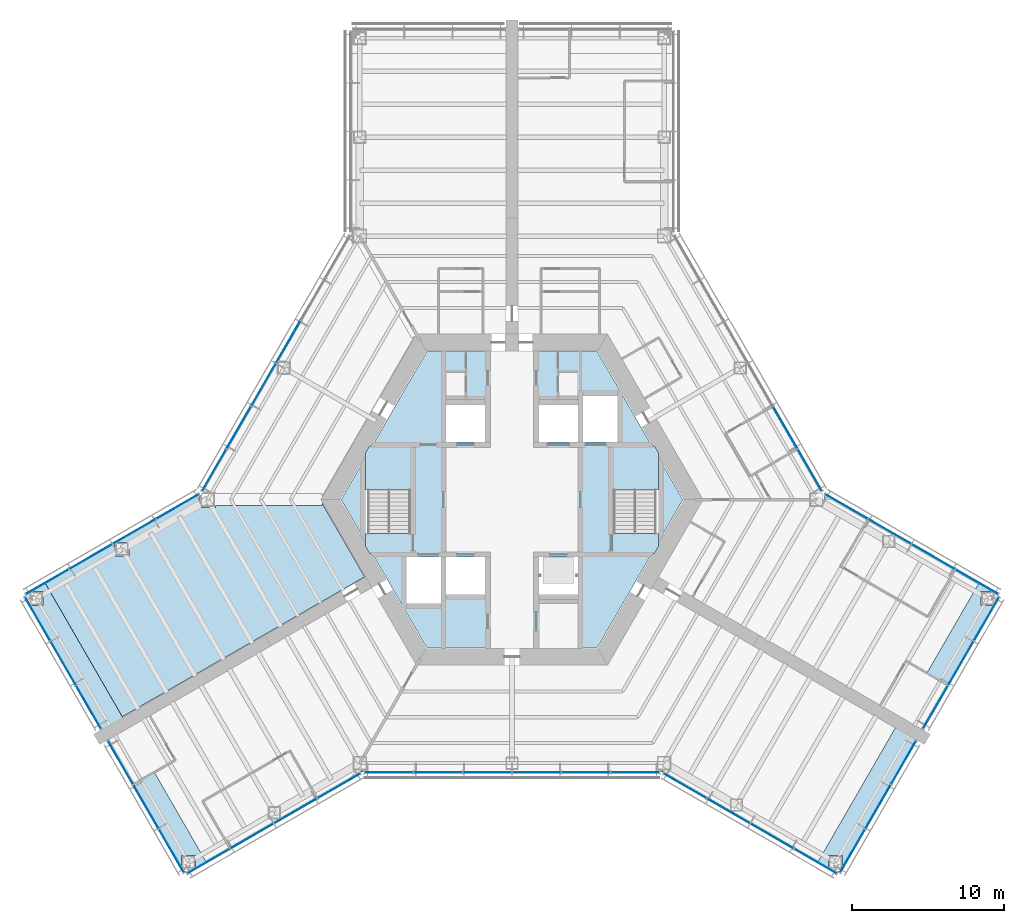
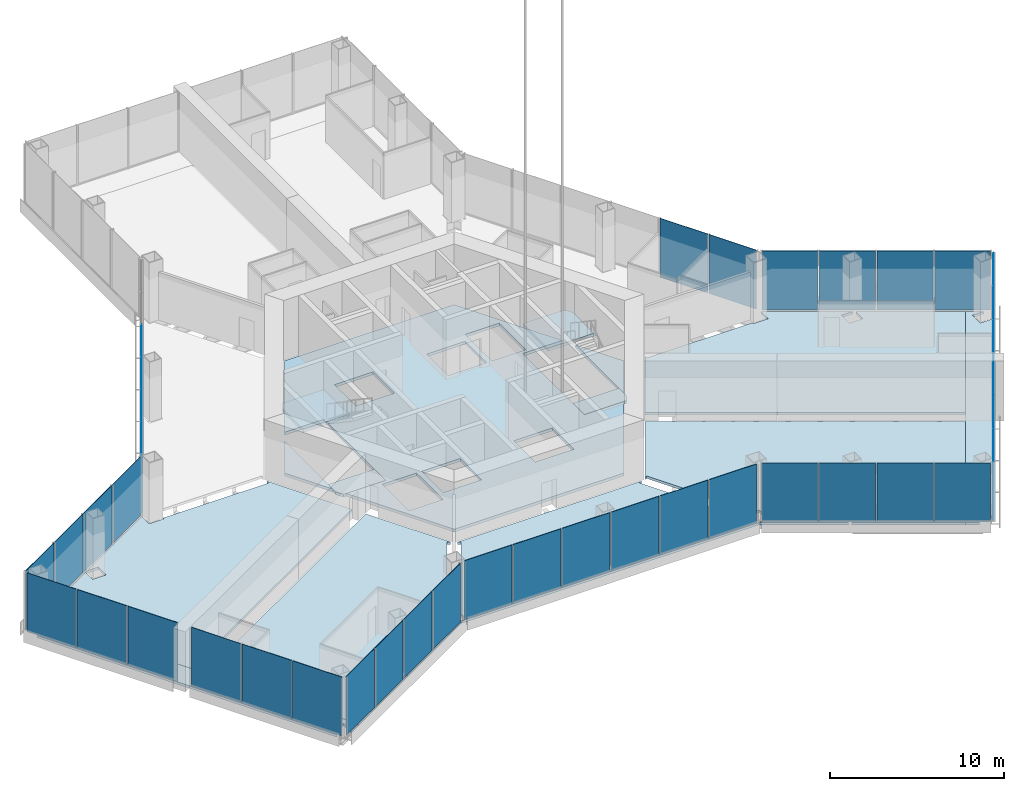
# One storey, part 9 of 18: 40 plates, 12 slabs, 13 elements without a shape of their own.
"""IFC4 building model written with IfcOpenShell, lengths in metres."""

from ifc_helpers import new_model, si_unit, direction, frame, origin, origin_2d, place, context, subcontext, project, spatial, polyline, rectangle, outline, extrude, material, layer, layer_set, type_object, element, aggregate, save


model = new_model("IFC4")

# Units and contexts
model_context = context("Model", 3, precision=1e-05, world=origin(), true_north=direction((0.0, 1.0)))
body_context = subcontext(model_context, "Body", "Model", "MODEL_VIEW")
ifc_project = project(units=[si_unit("LENGTHUNIT", "METRE"), si_unit("AREAUNIT", "SQUARE_METRE"), si_unit("VOLUMEUNIT", "CUBIC_METRE"), si_unit("PLANEANGLEUNIT", "RADIAN"), si_unit("MASSUNIT", "GRAM", prefix="KILO")], contexts=[model_context])

# Site, building, storey
site_placement = place(None, origin())
site = spatial("IfcSite", under=ifc_project, at=site_placement, CompositionType="ELEMENT")
building_placement = place(site_placement, origin())
building = spatial("IfcBuilding", under=site, at=building_placement, Name="Kasaneha Research Tower", CompositionType="ELEMENT")
storey_placement = place(building_placement, frame((0.0, 0.0, 57.0)))
storey = spatial("IfcBuildingStorey", under=building, at=storey_placement, Name="L14", CompositionType="ELEMENT", Elevation=57.0)

# Curtain wall, plates
ifc_material_1 = material(Name="Glass and aluminium", Category="aluminium")
curtain_wall_type = type_object("IfcCurtainWallType", Name="Sky lobby curtain wall", PredefinedType="USERDEFINED", material=ifc_material_1)
curtain_wall_1_placement = place(storey_placement, origin())
curtain_wall_1 = element("IfcCurtainWall", 1, at=curtain_wall_1_placement, inside=storey, type_object=curtain_wall_type, Name="CW-S L14 run 01a", ObjectType="UNITISED CURTAIN WALL", PredefinedType="USERDEFINED")
ifc_material_2 = material(Name="Laminated double glazing", Category="glass")
ifc_layer_1 = layer(ifc_material_2, 0.030029296875)
ifc_layer_set_1 = layer_set([ifc_layer_1], Name="CW-S glazed panel")
plate_type = type_object("IfcPlateType", Name="CW-S glazed panel", PredefinedType="CURTAIN_PANEL", material=ifc_layer_set_1)
plate_1_placement = place(storey_placement, frame((-19.943115234375, -23.75390625, 0.070068359375), z_axis=(0.0, 0.0, 1.0), x_axis=(0.866025411464, 0.499999986699, 0.0)))
plate_1 = element("IfcPlate", 2, at=plate_1_placement, type_object=plate_type, Name="CW-S panel 1", PredefinedType="CURTAIN_PANEL", context=body_context, shape_type="SweptSolid", body=[
    extrude(rectangle(XDim=3.204833984375, YDim=0.030029296875, at=origin_2d()), origin(), (0.0, 0.0, 1.0), 4.1298828125),
])
plate_2_placement = place(storey_placement, frame((-17.091796875, -22.107666015625, 0.070068359375), z_axis=(0.0, 0.0, 1.0), x_axis=(0.866025411464, 0.499999986699, 0.0)))
plate_2 = element("IfcPlate", 3, at=plate_2_placement, type_object=plate_type, Name="CW-S panel 2", PredefinedType="CURTAIN_PANEL", context=body_context, shape_type="SweptSolid", body=[
    extrude(rectangle(XDim=3.23974609375, YDim=0.030029296875, at=origin_2d()), origin(), (0.0, 0.0, 1.0), 4.1298828125),
])
plate_3_placement = place(storey_placement, frame((-14.225341796875, -20.452880859375, 0.070068359375), z_axis=(0.0, 0.0, 1.0), x_axis=(0.866025411464, 0.499999986699, 0.0)))
plate_3 = element("IfcPlate", 4, at=plate_3_placement, type_object=plate_type, Name="CW-S panel 3", PredefinedType="CURTAIN_PANEL", context=body_context, shape_type="SweptSolid", body=[
    extrude(rectangle(XDim=3.23974609375, YDim=0.030029296875, at=origin_2d()), origin(), (0.0, 0.0, 1.0), 4.1298828125),
])
plate_4_placement = place(storey_placement, frame((-11.374267578125, -18.806640625, 0.070068359375), z_axis=(0.0, 0.0, 1.0), x_axis=(0.866025411464, 0.499999986699, 0.0)))
plate_4 = element("IfcPlate", 5, at=plate_4_placement, type_object=plate_type, Name="CW-S panel 4", PredefinedType="CURTAIN_PANEL", context=body_context, shape_type="SweptSolid", body=[
    extrude(rectangle(XDim=3.204833984375, YDim=0.030029296875, at=origin_2d()), origin(), (0.0, 0.0, 1.0), 4.1298828125),
])
aggregate(curtain_wall_1, [plate_1, plate_2, plate_3, plate_4])

curtain_wall_2_placement = place(storey_placement, origin())
curtain_wall_2 = element("IfcCurtainWall", 6, at=curtain_wall_2_placement, inside=storey, type_object=curtain_wall_type, Name="CW-S L14 run 02a", ObjectType="UNITISED CURTAIN WALL", PredefinedType="USERDEFINED")
plate_5_placement = place(storey_placement, frame((-8.0986328125, -17.92041015625, 0.070068359375), z_axis=(0.0, 0.0, 1.0), x_axis=(1.0, 0.0, 0.0)))
plate_5 = element("IfcPlate", 7, at=plate_5_placement, type_object=plate_type, Name="CW-S panel 1", PredefinedType="CURTAIN_PANEL", context=body_context, shape_type="SweptSolid", body=[
    extrude(rectangle(XDim=3.141357421875, YDim=0.030029296875, at=origin_2d()), origin(), (0.0, 0.0, 1.0), 4.1298828125),
])
plate_6_placement = place(storey_placement, frame((-4.86962890625, -17.92041015625, 0.070068359375), z_axis=(0.0, 0.0, 1.0), x_axis=(1.0, 0.0, 0.0)))
plate_6 = element("IfcPlate", 8, at=plate_6_placement, type_object=plate_type, Name="CW-S panel 2", PredefinedType="CURTAIN_PANEL", context=body_context, shape_type="SweptSolid", body=[
    extrude(rectangle(XDim=3.176513671875, YDim=0.030029296875, at=origin_2d()), origin(), (0.0, 0.0, 1.0), 4.1298828125),
])
plate_7_placement = place(storey_placement, frame((-1.623291015625, -17.92041015625, 0.070068359375), z_axis=(0.0, 0.0, 1.0), x_axis=(1.0, 0.0, 0.0)))
plate_7 = element("IfcPlate", 9, at=plate_7_placement, type_object=plate_type, Name="CW-S panel 3", PredefinedType="CURTAIN_PANEL", context=body_context, shape_type="SweptSolid", body=[
    extrude(rectangle(XDim=3.176513671875, YDim=0.030029296875, at=origin_2d()), origin(), (0.0, 0.0, 1.0), 4.1298828125),
])
plate_8_placement = place(storey_placement, frame((1.623291015625, -17.92041015625, 0.070068359375), z_axis=(0.0, 0.0, 1.0), x_axis=(1.0, 0.0, 0.0)))
plate_8 = element("IfcPlate", 10, at=plate_8_placement, type_object=plate_type, Name="CW-S panel 4", PredefinedType="CURTAIN_PANEL", context=body_context, shape_type="SweptSolid", body=[
    extrude(rectangle(XDim=3.176513671875, YDim=0.030029296875, at=origin_2d()), origin(), (0.0, 0.0, 1.0), 4.1298828125),
])
plate_9_placement = place(storey_placement, frame((4.86962890625, -17.92041015625, 0.070068359375), z_axis=(0.0, 0.0, 1.0), x_axis=(1.0, 0.0, 0.0)))
plate_9 = element("IfcPlate", 11, at=plate_9_placement, type_object=plate_type, Name="CW-S panel 5", PredefinedType="CURTAIN_PANEL", context=body_context, shape_type="SweptSolid", body=[
    extrude(rectangle(XDim=3.176513671875, YDim=0.030029296875, at=origin_2d()), origin(), (0.0, 0.0, 1.0), 4.1298828125),
])
plate_10_placement = place(storey_placement, frame((8.0986328125, -17.92041015625, 0.070068359375), z_axis=(0.0, 0.0, 1.0), x_axis=(1.0, 0.0, 0.0)))
plate_10 = element("IfcPlate", 12, at=plate_10_placement, type_object=plate_type, Name="CW-S panel 6", PredefinedType="CURTAIN_PANEL", context=body_context, shape_type="SweptSolid", body=[
    extrude(rectangle(XDim=3.141357421875, YDim=0.030029296875, at=origin_2d()), origin(), (0.0, 0.0, 1.0), 4.1298828125),
])
aggregate(curtain_wall_2, [plate_5, plate_6, plate_7, plate_8, plate_9, plate_10])

curtain_wall_3_placement = place(storey_placement, origin())
curtain_wall_3 = element("IfcCurtainWall", 13, at=curtain_wall_3_placement, inside=storey, type_object=curtain_wall_type, Name="CW-S L14 run 03a", ObjectType="UNITISED CURTAIN WALL", PredefinedType="USERDEFINED")
plate_11_placement = place(storey_placement, frame((11.374267578125, -18.806640625, 0.070068359375), z_axis=(0.0, 0.0, 1.0), x_axis=(0.866025411464, -0.499999986699, 0.0)))
plate_11 = element("IfcPlate", 14, at=plate_11_placement, type_object=plate_type, Name="CW-S panel 1", PredefinedType="CURTAIN_PANEL", context=body_context, shape_type="SweptSolid", body=[
    extrude(rectangle(XDim=3.204833984375, YDim=0.030029296875, at=origin_2d()), origin(), (0.0, 0.0, 1.0), 4.1298828125),
])
plate_12_placement = place(storey_placement, frame((14.225341796875, -20.452880859375, 0.070068359375), z_axis=(0.0, 0.0, 1.0), x_axis=(0.866025411464, -0.499999986699, 0.0)))
plate_12 = element("IfcPlate", 15, at=plate_12_placement, type_object=plate_type, Name="CW-S panel 2", PredefinedType="CURTAIN_PANEL", context=body_context, shape_type="SweptSolid", body=[
    extrude(rectangle(XDim=3.23974609375, YDim=0.030029296875, at=origin_2d()), origin(), (0.0, 0.0, 1.0), 4.1298828125),
])
plate_13_placement = place(storey_placement, frame((17.091796875, -22.107666015625, 0.070068359375), z_axis=(0.0, 0.0, 1.0), x_axis=(0.866025411464, -0.499999986699, 0.0)))
plate_13 = element("IfcPlate", 16, at=plate_13_placement, type_object=plate_type, Name="CW-S panel 3", PredefinedType="CURTAIN_PANEL", context=body_context, shape_type="SweptSolid", body=[
    extrude(rectangle(XDim=3.23974609375, YDim=0.030029296875, at=origin_2d()), origin(), (0.0, 0.0, 1.0), 4.1298828125),
])
plate_14_placement = place(storey_placement, frame((19.943115234375, -23.75390625, 0.070068359375), z_axis=(0.0, 0.0, 1.0), x_axis=(0.866025411464, -0.499999986699, 0.0)))
plate_14 = element("IfcPlate", 17, at=plate_14_placement, type_object=plate_type, Name="CW-S panel 4", PredefinedType="CURTAIN_PANEL", context=body_context, shape_type="SweptSolid", body=[
    extrude(rectangle(XDim=3.204833984375, YDim=0.030029296875, at=origin_2d()), origin(), (0.0, 0.0, 1.0), 4.1298828125),
])
aggregate(curtain_wall_3, [plate_11, plate_12, plate_13, plate_14])

curtain_wall_4_placement = place(storey_placement, origin())
curtain_wall_4 = element("IfcCurtainWall", 18, at=curtain_wall_4_placement, inside=storey, type_object=curtain_wall_type, Name="CW-S L14 run 04a", ObjectType="UNITISED CURTAIN WALL", PredefinedType="USERDEFINED")
plate_15_placement = place(storey_placement, frame((22.37841796875, -23.08056640625, 0.070068359375), z_axis=(0.0, 0.0, 1.0), x_axis=(0.500000011442, 0.866025397178, 0.0)))
plate_15 = element("IfcPlate", 19, at=plate_15_placement, type_object=plate_type, Name="CW-S panel 1", PredefinedType="CURTAIN_PANEL", context=body_context, shape_type="SweptSolid", body=[
    extrude(rectangle(XDim=3.26171875, YDim=0.030029296875, at=origin_2d()), origin(), (0.0, 0.0, 1.0), 4.1298828125),
])
plate_16_placement = place(storey_placement, frame((24.052978515625, -20.18017578125, 0.070068359375), z_axis=(0.0, 0.0, 1.0), x_axis=(0.500000011442, 0.866025397178, 0.0)))
plate_16 = element("IfcPlate", 20, at=plate_16_placement, type_object=plate_type, Name="CW-S panel 2", PredefinedType="CURTAIN_PANEL", context=body_context, shape_type="SweptSolid", body=[
    extrude(rectangle(XDim=3.296630859375, YDim=0.030029296875, at=origin_2d()), origin(), (0.0, 0.0, 1.0), 4.1298828125),
])
plate_17_placement = place(storey_placement, frame((25.7275390625, -17.279541015625, 0.070068359375), z_axis=(0.0, 0.0, 1.0), x_axis=(0.500000011442, 0.866025397178, 0.0)))
plate_17 = element("IfcPlate", 21, at=plate_17_placement, type_object=plate_type, Name="CW-S panel 3", PredefinedType="CURTAIN_PANEL", context=body_context, shape_type="SweptSolid", body=[
    extrude(rectangle(XDim=3.26171875, YDim=0.030029296875, at=origin_2d()), origin(), (0.0, 0.0, 1.0), 4.1298828125),
])
aggregate(curtain_wall_4, [plate_15, plate_16, plate_17])

curtain_wall_5_placement = place(storey_placement, origin())
curtain_wall_5 = element("IfcCurtainWall", 22, at=curtain_wall_5_placement, inside=storey, type_object=curtain_wall_type, Name="CW-S L14 run 05a", ObjectType="UNITISED CURTAIN WALL", PredefinedType="USERDEFINED")
plate_18_placement = place(storey_placement, frame((27.828369140625, -13.640869140625, 0.070068359375), z_axis=(0.0, 0.0, 1.0), x_axis=(0.500000011442, 0.866025397178, 0.0)))
plate_18 = element("IfcPlate", 23, at=plate_18_placement, type_object=plate_type, Name="CW-S panel 1", PredefinedType="CURTAIN_PANEL", context=body_context, shape_type="SweptSolid", body=[
    extrude(rectangle(XDim=3.26171875, YDim=0.030029296875, at=origin_2d()), origin(), (0.0, 0.0, 1.0), 4.1298828125),
])
plate_19_placement = place(storey_placement, frame((29.5029296875, -10.740478515625, 0.070068359375), z_axis=(0.0, 0.0, 1.0), x_axis=(0.500000011442, 0.866025397178, 0.0)))
plate_19 = element("IfcPlate", 24, at=plate_19_placement, type_object=plate_type, Name="CW-S panel 2", PredefinedType="CURTAIN_PANEL", context=body_context, shape_type="SweptSolid", body=[
    extrude(rectangle(XDim=3.296630859375, YDim=0.030029296875, at=origin_2d()), origin(), (0.0, 0.0, 1.0), 4.1298828125),
])
plate_20_placement = place(storey_placement, frame((31.177490234375, -7.83984375, 0.070068359375), z_axis=(0.0, 0.0, 1.0), x_axis=(0.500000011442, 0.866025397178, 0.0)))
plate_20 = element("IfcPlate", 25, at=plate_20_placement, type_object=plate_type, Name="CW-S panel 3", PredefinedType="CURTAIN_PANEL", context=body_context, shape_type="SweptSolid", body=[
    extrude(rectangle(XDim=3.26171875, YDim=0.030029296875, at=origin_2d()), origin(), (0.0, 0.0, 1.0), 4.1298828125),
])
aggregate(curtain_wall_5, [plate_18, plate_19, plate_20])

curtain_wall_6_placement = place(storey_placement, origin())
curtain_wall_6 = element("IfcCurtainWall", 26, at=curtain_wall_6_placement, inside=storey, type_object=curtain_wall_type, Name="CW-S L14 run 06a", ObjectType="UNITISED CURTAIN WALL", PredefinedType="USERDEFINED")
plate_21_placement = place(storey_placement, frame((30.54296875, -5.394287109375, 0.070068359375), z_axis=(0.0, 0.0, 1.0), x_axis=(-0.866025411464, 0.499999986699, 0.0)))
plate_21 = element("IfcPlate", 27, at=plate_21_placement, type_object=plate_type, Name="CW-S panel 1", PredefinedType="CURTAIN_PANEL", context=body_context, shape_type="SweptSolid", body=[
    extrude(rectangle(XDim=3.204833984375, YDim=0.030029296875, at=origin_2d()), origin(), (0.0, 0.0, 1.0), 4.1298828125),
])
plate_22_placement = place(storey_placement, frame((27.69189453125, -3.748046875, 0.070068359375), z_axis=(0.0, 0.0, 1.0), x_axis=(-0.866025411464, 0.499999986699, 0.0)))
plate_22 = element("IfcPlate", 28, at=plate_22_placement, type_object=plate_type, Name="CW-S panel 2", PredefinedType="CURTAIN_PANEL", context=body_context, shape_type="SweptSolid", body=[
    extrude(rectangle(XDim=3.23974609375, YDim=0.030029296875, at=origin_2d()), origin(), (0.0, 0.0, 1.0), 4.1298828125),
])
plate_23_placement = place(storey_placement, frame((24.825439453125, -2.093017578125, 0.070068359375), z_axis=(0.0, 0.0, 1.0), x_axis=(-0.866025411464, 0.499999986699, 0.0)))
plate_23 = element("IfcPlate", 29, at=plate_23_placement, type_object=plate_type, Name="CW-S panel 3", PredefinedType="CURTAIN_PANEL", context=body_context, shape_type="SweptSolid", body=[
    extrude(rectangle(XDim=3.23974609375, YDim=0.030029296875, at=origin_2d()), origin(), (0.0, 0.0, 1.0), 4.1298828125),
])
plate_24_placement = place(storey_placement, frame((21.97412109375, -0.447021484375, 0.070068359375), z_axis=(0.0, 0.0, 1.0), x_axis=(-0.866025411464, 0.499999986699, 0.0)))
plate_24 = element("IfcPlate", 30, at=plate_24_placement, type_object=plate_type, Name="CW-S panel 4", PredefinedType="CURTAIN_PANEL", context=body_context, shape_type="SweptSolid", body=[
    extrude(rectangle(XDim=3.204833984375, YDim=0.030029296875, at=origin_2d()), origin(), (0.0, 0.0, 1.0), 4.1298828125),
])
aggregate(curtain_wall_6, [plate_21, plate_22, plate_23, plate_24])

curtain_wall_7_placement = place(storey_placement, origin())
curtain_wall_7 = element("IfcCurtainWall", 31, at=curtain_wall_7_placement, inside=storey, type_object=curtain_wall_type, Name="CW-S L14 run 07a", ObjectType="UNITISED CURTAIN WALL", PredefinedType="USERDEFINED")
plate_25_placement = place(storey_placement, frame((19.56884765625, 1.94677734375, 0.070068359375), z_axis=(0.0, 0.0, 1.0), x_axis=(-0.49999996188, 0.866025425793, 0.0)))
plate_25 = element("IfcPlate", 32, at=plate_25_placement, type_object=plate_type, Name="CW-S panel 1", PredefinedType="CURTAIN_PANEL", context=body_context, shape_type="SweptSolid", body=[
    extrude(rectangle(XDim=3.141357421875, YDim=0.030029296875, at=origin_2d()), origin(), (0.0, 0.0, 1.0), 4.1298828125),
])
plate_26_placement = place(storey_placement, frame((17.954345703125, 4.7431640625, 0.070068359375), z_axis=(0.0, 0.0, 1.0), x_axis=(-0.49999996188, 0.866025425793, 0.0)))
plate_26 = element("IfcPlate", 33, at=plate_26_placement, type_object=plate_type, Name="CW-S panel 2", PredefinedType="CURTAIN_PANEL", context=body_context, shape_type="SweptSolid", body=[
    extrude(rectangle(XDim=3.176513671875, YDim=0.030029296875, at=origin_2d()), origin(), (0.0, 0.0, 1.0), 4.1298828125),
])
aggregate(curtain_wall_7, [plate_25, plate_26])

curtain_wall_8_placement = place(storey_placement, origin())
curtain_wall_8 = element("IfcCurtainWall", 34, at=curtain_wall_8_placement, inside=storey, type_object=curtain_wall_type, Name="CW-S L14 run 12a", ObjectType="UNITISED CURTAIN WALL", PredefinedType="USERDEFINED")
plate_27_placement = place(storey_placement, frame((-14.7080078125, 10.365966796875, 0.070068359375), z_axis=(0.0, 0.0, 1.0), x_axis=(-0.49999996188, -0.866025425793, 0.0)))
plate_27 = element("IfcPlate", 35, at=plate_27_placement, type_object=plate_type, Name="CW-S panel 3", PredefinedType="CURTAIN_PANEL", context=body_context, shape_type="SweptSolid", body=[
    extrude(rectangle(XDim=3.176513671875, YDim=0.030029296875, at=origin_2d()), origin(), (0.0, 0.0, 1.0), 4.1298828125),
])
plate_28_placement = place(storey_placement, frame((-16.331298828125, 7.554443359375, 0.070068359375), z_axis=(0.0, 0.0, 1.0), x_axis=(-0.49999996188, -0.866025425793, 0.0)))
plate_28 = element("IfcPlate", 36, at=plate_28_placement, type_object=plate_type, Name="CW-S panel 4", PredefinedType="CURTAIN_PANEL", context=body_context, shape_type="SweptSolid", body=[
    extrude(rectangle(XDim=3.176513671875, YDim=0.030029296875, at=origin_2d()), origin(), (0.0, 0.0, 1.0), 4.1298828125),
])
plate_29_placement = place(storey_placement, frame((-17.954345703125, 4.7431640625, 0.070068359375), z_axis=(0.0, 0.0, 1.0), x_axis=(-0.49999996188, -0.866025425793, 0.0)))
plate_29 = element("IfcPlate", 37, at=plate_29_placement, type_object=plate_type, Name="CW-S panel 5", PredefinedType="CURTAIN_PANEL", context=body_context, shape_type="SweptSolid", body=[
    extrude(rectangle(XDim=3.176513671875, YDim=0.030029296875, at=origin_2d()), origin(), (0.0, 0.0, 1.0), 4.1298828125),
])
plate_30_placement = place(storey_placement, frame((-19.56884765625, 1.94677734375, 0.070068359375), z_axis=(0.0, 0.0, 1.0), x_axis=(-0.49999996188, -0.866025425793, 0.0)))
plate_30 = element("IfcPlate", 38, at=plate_30_placement, type_object=plate_type, Name="CW-S panel 6", PredefinedType="CURTAIN_PANEL", context=body_context, shape_type="SweptSolid", body=[
    extrude(rectangle(XDim=3.141357421875, YDim=0.030029296875, at=origin_2d()), origin(), (0.0, 0.0, 1.0), 4.1298828125),
])
aggregate(curtain_wall_8, [plate_27, plate_28, plate_29, plate_30])

curtain_wall_9_placement = place(storey_placement, origin())
curtain_wall_9 = element("IfcCurtainWall", 39, at=curtain_wall_9_placement, inside=storey, type_object=curtain_wall_type, Name="CW-S L14 run 13a", ObjectType="UNITISED CURTAIN WALL", PredefinedType="USERDEFINED")
plate_31_placement = place(storey_placement, frame((-21.97412109375, -0.447021484375, 0.070068359375), z_axis=(0.0, 0.0, 1.0), x_axis=(-0.866025411464, -0.499999986699, 0.0)))
plate_31 = element("IfcPlate", 40, at=plate_31_placement, type_object=plate_type, Name="CW-S panel 1", PredefinedType="CURTAIN_PANEL", context=body_context, shape_type="SweptSolid", body=[
    extrude(rectangle(XDim=3.204833984375, YDim=0.030029296875, at=origin_2d()), origin(), (0.0, 0.0, 1.0), 4.1298828125),
])
plate_32_placement = place(storey_placement, frame((-24.825439453125, -2.093017578125, 0.070068359375), z_axis=(0.0, 0.0, 1.0), x_axis=(-0.866025411464, -0.499999986699, 0.0)))
plate_32 = element("IfcPlate", 41, at=plate_32_placement, type_object=plate_type, Name="CW-S panel 2", PredefinedType="CURTAIN_PANEL", context=body_context, shape_type="SweptSolid", body=[
    extrude(rectangle(XDim=3.23974609375, YDim=0.030029296875, at=origin_2d()), origin(), (0.0, 0.0, 1.0), 4.1298828125),
])
plate_33_placement = place(storey_placement, frame((-27.69189453125, -3.748046875, 0.070068359375), z_axis=(0.0, 0.0, 1.0), x_axis=(-0.866025411464, -0.499999986699, 0.0)))
plate_33 = element("IfcPlate", 42, at=plate_33_placement, type_object=plate_type, Name="CW-S panel 3", PredefinedType="CURTAIN_PANEL", context=body_context, shape_type="SweptSolid", body=[
    extrude(rectangle(XDim=3.23974609375, YDim=0.030029296875, at=origin_2d()), origin(), (0.0, 0.0, 1.0), 4.1298828125),
])
plate_34_placement = place(storey_placement, frame((-30.54296875, -5.394287109375, 0.070068359375), z_axis=(0.0, 0.0, 1.0), x_axis=(-0.866025411464, -0.499999986699, 0.0)))
plate_34 = element("IfcPlate", 43, at=plate_34_placement, type_object=plate_type, Name="CW-S panel 4", PredefinedType="CURTAIN_PANEL", context=body_context, shape_type="SweptSolid", body=[
    extrude(rectangle(XDim=3.204833984375, YDim=0.030029296875, at=origin_2d()), origin(), (0.0, 0.0, 1.0), 4.1298828125),
])
aggregate(curtain_wall_9, [plate_31, plate_32, plate_33, plate_34])

curtain_wall_10_placement = place(storey_placement, origin())
curtain_wall_10 = element("IfcCurtainWall", 44, at=curtain_wall_10_placement, inside=storey, type_object=curtain_wall_type, Name="CW-S L14 run 14a", ObjectType="UNITISED CURTAIN WALL", PredefinedType="USERDEFINED")
plate_35_placement = place(storey_placement, frame((-31.177490234375, -7.83984375, 0.070068359375), z_axis=(0.0, 0.0, 1.0), x_axis=(0.500000011442, -0.866025397178, 0.0)))
plate_35 = element("IfcPlate", 45, at=plate_35_placement, type_object=plate_type, Name="CW-S panel 1", PredefinedType="CURTAIN_PANEL", context=body_context, shape_type="SweptSolid", body=[
    extrude(rectangle(XDim=3.26171875, YDim=0.030029296875, at=origin_2d()), origin(), (0.0, 0.0, 1.0), 4.1298828125),
])
plate_36_placement = place(storey_placement, frame((-29.5029296875, -10.740478515625, 0.070068359375), z_axis=(0.0, 0.0, 1.0), x_axis=(0.500000011442, -0.866025397178, 0.0)))
plate_36 = element("IfcPlate", 46, at=plate_36_placement, type_object=plate_type, Name="CW-S panel 2", PredefinedType="CURTAIN_PANEL", context=body_context, shape_type="SweptSolid", body=[
    extrude(rectangle(XDim=3.296630859375, YDim=0.030029296875, at=origin_2d()), origin(), (0.0, 0.0, 1.0), 4.1298828125),
])
plate_37_placement = place(storey_placement, frame((-27.828369140625, -13.640869140625, 0.070068359375), z_axis=(0.0, 0.0, 1.0), x_axis=(0.500000011442, -0.866025397178, 0.0)))
plate_37 = element("IfcPlate", 47, at=plate_37_placement, type_object=plate_type, Name="CW-S panel 3", PredefinedType="CURTAIN_PANEL", context=body_context, shape_type="SweptSolid", body=[
    extrude(rectangle(XDim=3.26171875, YDim=0.030029296875, at=origin_2d()), origin(), (0.0, 0.0, 1.0), 4.1298828125),
])
aggregate(curtain_wall_10, [plate_35, plate_36, plate_37])

curtain_wall_11_placement = place(storey_placement, origin())
curtain_wall_11 = element("IfcCurtainWall", 48, at=curtain_wall_11_placement, inside=storey, type_object=curtain_wall_type, Name="CW-S L14 run 15a", ObjectType="UNITISED CURTAIN WALL", PredefinedType="USERDEFINED")
plate_38_placement = place(storey_placement, frame((-25.7275390625, -17.279541015625, 0.070068359375), z_axis=(0.0, 0.0, 1.0), x_axis=(0.500000011442, -0.866025397178, 0.0)))
plate_38 = element("IfcPlate", 49, at=plate_38_placement, type_object=plate_type, Name="CW-S panel 1", PredefinedType="CURTAIN_PANEL", context=body_context, shape_type="SweptSolid", body=[
    extrude(rectangle(XDim=3.26171875, YDim=0.030029296875, at=origin_2d()), origin(), (0.0, 0.0, 1.0), 4.1298828125),
])
plate_39_placement = place(storey_placement, frame((-24.052978515625, -20.18017578125, 0.070068359375), z_axis=(0.0, 0.0, 1.0), x_axis=(0.500000011442, -0.866025397178, 0.0)))
plate_39 = element("IfcPlate", 50, at=plate_39_placement, type_object=plate_type, Name="CW-S panel 2", PredefinedType="CURTAIN_PANEL", context=body_context, shape_type="SweptSolid", body=[
    extrude(rectangle(XDim=3.296630859375, YDim=0.030029296875, at=origin_2d()), origin(), (0.0, 0.0, 1.0), 4.1298828125),
])
plate_40_placement = place(storey_placement, frame((-22.37841796875, -23.08056640625, 0.070068359375), z_axis=(0.0, 0.0, 1.0), x_axis=(0.500000011442, -0.866025397178, 0.0)))
plate_40 = element("IfcPlate", 51, at=plate_40_placement, type_object=plate_type, Name="CW-S panel 3", PredefinedType="CURTAIN_PANEL", context=body_context, shape_type="SweptSolid", body=[
    extrude(rectangle(XDim=3.26171875, YDim=0.030029296875, at=origin_2d()), origin(), (0.0, 0.0, 1.0), 4.1298828125),
])
aggregate(curtain_wall_11, [plate_38, plate_39, plate_40])

# Slabs
ifc_material_3 = material(Name="Concrete Fc24", Category="concrete")
ifc_layer_2 = layer(ifc_material_3, 0.199951171875)
ifc_layer_set_2 = layer_set([ifc_layer_2], Name="Core floor slab 200")
slab_type_1 = type_object("IfcSlabType", Name="Core floor slab 200", PredefinedType="FLOOR", material=ifc_layer_set_2)
slab_1_placement = place(storey_placement, frame((0.0, 0.0, -0.199951171875)))
element("IfcSlab", 52, at=slab_1_placement, inside=storey, type_object=slab_type_1, Name="Core slab L14", PredefinedType="FLOOR", context=body_context, shape_type="SweptSolid", body=[
    extrude(outline(polyline([(-11.2294921875, 0.0), (-9.625, 2.779052734375), (-9.625, -2.779052734375), (-11.2294921875, 0.0)])), origin(), (0.0, 0.0, 1.0), 0.199951171875),
])
slab_2_placement = place(storey_placement, frame((0.0, 0.0, -0.199951171875)))
element("IfcSlab", 53, at=slab_2_placement, inside=storey, type_object=slab_type_1, Name="Core slab L14", PredefinedType="FLOOR", context=body_context, shape_type="SweptSolid", body=[
    extrude(outline(polyline([(-5.61474609375, 9.72509765625), (5.61474609375, 9.72509765625), (9.1943359375, 3.52490234375), (6.574951171875, 3.52490234375), (6.574951171875, -3.52490234375), (9.1943359375, -3.52490234375), (5.61474609375, -9.72509765625), (-5.61474609375, -9.72509765625), (-9.1943359375, -3.52490234375), (-6.574951171875, -3.52490234375), (-6.574951171875, 3.52490234375), (-9.1943359375, 3.52490234375), (-5.61474609375, 9.72509765625)]), holes=[polyline([(-6.925048828125, -3.77490234375), (-6.925048828125, -6.824951171875), (-4.675048828125, -6.824951171875), (-4.675048828125, -3.77490234375), (-6.925048828125, -3.77490234375)]), polyline([(-4.324951171875, -3.77490234375), (-4.324951171875, -6.22509765625), (-1.77490234375, -6.22509765625), (-1.77490234375, -3.77490234375), (-4.324951171875, -3.77490234375)]), polyline([(1.77490234375, -3.77490234375), (1.77490234375, -6.22509765625), (4.324951171875, -6.22509765625), (4.324951171875, -3.77490234375), (1.77490234375, -3.77490234375)]), polyline([(-4.324951171875, 6.22509765625), (-4.324951171875, 3.77490234375), (-1.77490234375, 3.77490234375), (-1.77490234375, 6.22509765625), (-4.324951171875, 6.22509765625)]), polyline([(4.324951171875, 6.22509765625), (1.77490234375, 6.22509765625), (1.77490234375, 3.77490234375), (4.324951171875, 3.77490234375), (4.324951171875, 6.22509765625)]), polyline([(6.925048828125, 6.824951171875), (4.675048828125, 6.824951171875), (4.675048828125, 3.77490234375), (6.925048828125, 3.77490234375), (6.925048828125, 6.824951171875)])]), origin(), (0.0, 0.0, 1.0), 0.199951171875),
])
slab_3_placement = place(storey_placement, frame((0.0, 0.0, -0.199951171875)))
element("IfcSlab", 54, at=slab_3_placement, inside=storey, type_object=slab_type_1, Name="Core slab L14", PredefinedType="FLOOR", context=body_context, shape_type="SweptSolid", body=[
    extrude(outline(polyline([(11.2294921875, 0.0), (9.625, -2.779052734375), (9.625, 2.779052734375), (11.2294921875, 0.0)])), origin(), (0.0, 0.0, 1.0), 0.199951171875),
])
ifc_material_4 = material(Name="Concrete Fc24", Category="concrete")
ifc_layer_3 = layer(ifc_material_4, 0.169921875)
ifc_layer_set_3 = layer_set([ifc_layer_3], Name="Floor slab 170")
slab_type_2 = type_object("IfcSlabType", Name="Floor slab 170", PredefinedType="FLOOR", material=ifc_layer_set_3)
slab_4_placement = place(storey_placement, frame((0.0, 0.0, -0.169921875)))
element("IfcSlab", 55, at=slab_4_placement, inside=storey, type_object=slab_type_2, Name="Floor slab L14 1", PredefinedType="FLOOR", context=body_context, shape_type="SweptSolid", body=[
    extrude(outline(polyline([(-25.167236328125, -15.050048828125), (-25.15869140625, -15.044921875), (-20.108642578125, -23.791748046875), (-20.808349609375, -24.19580078125), (-20.808349609375, -23.37060546875), (-21.708251953125, -23.37060546875), (-21.708251953125, -24.14111328125), (-31.633544921875, -6.949951171875), (-30.808349609375, -6.949951171875), (-30.808349609375, -6.050048828125), (-31.578857421875, -6.050048828125), (-30.65869140625, -5.518798828125), (-25.608642578125, -14.265625), (-25.6171875, -14.2705078125), (-25.167236328125, -15.050048828125)])), origin(), (0.0, 0.0, 1.0), 0.169921875),
])
slab_5_placement = place(storey_placement, frame((0.0, 0.0, -0.169921875)))
element("IfcSlab", 56, at=slab_5_placement, inside=storey, type_object=slab_type_2, Name="Floor slab L14 2", PredefinedType="FLOOR", context=body_context, shape_type="SweptSolid", body=[
    extrude(outline(polyline([(-25.17919921875, -2.800048828125), (-25.94970703125, -2.800048828125), (-20.5, 0.346435546875), (-20.5, -0.5), (-19.5, -0.5), (-19.5, -0.39990234375), (-12.49951171875, -0.39990234375), (-12.49951171875, -0.199951171875), (-9.686279296875, -5.07275390625), (-25.608642578125, -14.265625), (-30.65869140625, -5.518798828125), (-26.0791015625, -2.874755859375), (-26.0791015625, -3.699951171875), (-25.17919921875, -3.699951171875), (-25.17919921875, -2.800048828125)])), origin(), (0.0, 0.0, 1.0), 0.169921875),
])
slab_6_placement = place(storey_placement, frame((0.0, 0.0, -0.169921875)))
element("IfcSlab", 57, at=slab_6_placement, inside=storey, type_object=slab_type_2, Name="Floor slab L14 5", PredefinedType="FLOOR", context=body_context, shape_type="SweptSolid", body=[
    extrude(outline(polyline([(-6.423095703125, -10.72509765625), (-6.59619140625, -10.625), (-10.173095703125, -16.820556640625), (-10.5, -16.820556640625), (-10.5, -17.820556640625), (-9.5, -17.820556640625), (-9.5, -17.25439453125), (-5.9033203125, -11.02490234375), (-6.07666015625, -10.925048828125), (6.07666015625, -10.925048828125), (5.9033203125, -11.02490234375), (9.5, -17.25439453125), (9.5, -17.820556640625), (10.5, -17.820556640625), (10.5, -16.820556640625), (10.173095703125, -16.820556640625), (6.59619140625, -10.625), (6.423095703125, -10.72509765625), (9.236328125, -5.852294921875), (25.15869140625, -15.044921875), (20.108642578125, -23.791748046875), (14.442626953125, -20.5205078125), (15.213134765625, -20.5205078125), (15.213134765625, -19.62060546875), (14.313232421875, -19.62060546875), (14.313232421875, -20.44580078125), (9.8525390625, -17.87060546875), (-9.8525390625, -17.87060546875), (-15.17919921875, -20.94580078125), (-15.17919921875, -20.12060546875), (-16.0791015625, -20.12060546875), (-16.0791015625, -21.0205078125), (-15.30859375, -21.0205078125), (-20.108642578125, -23.791748046875), (-25.15869140625, -15.044921875), (-9.236328125, -5.852294921875), (-6.423095703125, -10.72509765625)]), holes=[polyline([(-0.449951171875, -17.7705078125), (0.449951171875, -17.7705078125), (0.449951171875, -16.87060546875), (-0.449951171875, -16.87060546875), (-0.449951171875, -17.7705078125)])]), origin(), (0.0, 0.0, 1.0), 0.169921875),
])
slab_7_placement = place(storey_placement, frame((0.0, 0.0, -0.169921875)))
element("IfcSlab", 58, at=slab_7_placement, inside=storey, type_object=slab_type_2, Name="Floor slab L14 7", PredefinedType="FLOOR", context=body_context, shape_type="SweptSolid", body=[
    extrude(outline(polyline([(9.686279296875, -5.07275390625), (12.49951171875, -0.199951171875), (12.49951171875, -0.39990234375), (19.5, -0.39990234375), (19.5, -0.5), (20.5, -0.5), (20.5, 0.346435546875), (25.083740234375, -2.300048828125), (24.313232421875, -2.300048828125), (24.313232421875, -3.199951171875), (25.213134765625, -3.199951171875), (25.213134765625, -2.374755859375), (30.65869140625, -5.518798828125), (25.608642578125, -14.265625), (9.686279296875, -5.07275390625)])), origin(), (0.0, 0.0, 1.0), 0.169921875),
])
slab_8_placement = place(storey_placement, frame((0.0, 0.0, -0.169921875)))
element("IfcSlab", 59, at=slab_8_placement, inside=storey, type_object=slab_type_2, Name="Floor slab L14 8", PredefinedType="FLOOR", context=body_context, shape_type="SweptSolid", body=[
    extrude(outline(polyline([(25.167236328125, -15.050048828125), (25.6171875, -14.2705078125), (25.608642578125, -14.265625), (30.65869140625, -5.518798828125), (31.578857421875, -6.050048828125), (30.808349609375, -6.050048828125), (30.808349609375, -6.949951171875), (31.633544921875, -6.949951171875), (21.708251953125, -24.14111328125), (21.708251953125, -23.37060546875), (20.808349609375, -23.37060546875), (20.808349609375, -24.19580078125), (20.108642578125, -23.791748046875), (25.15869140625, -15.044921875), (25.167236328125, -15.050048828125)])), origin(), (0.0, 0.0, 1.0), 0.169921875),
])

# Stair, slabs
ifc_material_5 = material(Name="Concrete Fc24", Category="concrete")
stair_type = type_object("IfcStairType", Name="Half-turn stair 24 risers", PredefinedType="HALF_TURN_STAIR", material=ifc_material_5)
stair_1_placement = place(storey_placement, origin())
stair_1 = element("IfcStair", 60, at=stair_1_placement, inside=storey, type_object=stair_type, Name="Stair 1 L14", PredefinedType="HALF_TURN_STAIR")
ifc_material_6 = material(Name="Concrete Fc24", Category="concrete")
ifc_layer_4 = layer(ifc_material_6, 0.199951171875)
ifc_layer_set_4 = layer_set([ifc_layer_4], Name="Stair 1 landing 200")
slab_type_3 = type_object("IfcSlabType", Name="Stair 1 landing 200", PredefinedType="LANDING", material=ifc_layer_set_4)
slab_9_placement = place(storey_placement, frame((0.0, 0.0, -0.199951171875)))
slab_9 = element("IfcSlab", 61, at=slab_9_placement, type_object=slab_type_3, Name="ST1-24R landing 1", PredefinedType="LANDING", context=body_context, shape_type="SweptSolid", body=[
    extrude(outline(polyline([(9.367431640625, -3.52490234375), (6.574951171875, -3.52490234375), (6.574951171875, -2.22509765625), (9.625, -2.22509765625), (9.625, -3.0791015625), (9.367431640625, -3.52490234375)])), origin(), (0.0, 0.0, 1.0), 0.199951171875),
])
slab_10_placement = place(storey_placement, frame((0.0, 0.0, 1.89990234375)))
slab_10 = element("IfcSlab", 62, at=slab_10_placement, type_object=slab_type_3, Name="ST1-24R landing 2", PredefinedType="LANDING", context=body_context, shape_type="SweptSolid", body=[
    extrude(outline(polyline([(6.574951171875, 3.52490234375), (9.367431640625, 3.52490234375), (9.625, 3.0791015625), (9.625, 0.635009765625), (6.574951171875, 0.635009765625), (6.574951171875, 3.52490234375)])), origin(), (0.0, 0.0, 1.0), 0.2001953125),
])
aggregate(stair_1, [slab_9, slab_10])

stair_2_placement = place(storey_placement, origin())
stair_2 = element("IfcStair", 63, at=stair_2_placement, inside=storey, type_object=stair_type, Name="Stair 2 L14", PredefinedType="HALF_TURN_STAIR")
ifc_material_7 = material(Name="Concrete Fc24", Category="concrete")
ifc_layer_5 = layer(ifc_material_7, 0.199951171875)
ifc_layer_set_5 = layer_set([ifc_layer_5], Name="Stair 2 landing 200")
slab_type_4 = type_object("IfcSlabType", Name="Stair 2 landing 200", PredefinedType="LANDING", material=ifc_layer_set_5)
slab_11_placement = place(storey_placement, frame((0.0, 0.0, -0.199951171875)))
slab_11 = element("IfcSlab", 64, at=slab_11_placement, type_object=slab_type_4, Name="ST2-24R landing 1", PredefinedType="LANDING", context=body_context, shape_type="SweptSolid", body=[
    extrude(outline(polyline([(-6.574951171875, -3.52490234375), (-9.367431640625, -3.52490234375), (-9.625, -3.0791015625), (-9.625, -2.22509765625), (-6.574951171875, -2.22509765625), (-6.574951171875, -3.52490234375)])), origin(), (0.0, 0.0, 1.0), 0.199951171875),
])
slab_12_placement = place(storey_placement, frame((0.0, 0.0, 1.89990234375)))
slab_12 = element("IfcSlab", 65, at=slab_12_placement, type_object=slab_type_4, Name="ST2-24R landing 2", PredefinedType="LANDING", context=body_context, shape_type="SweptSolid", body=[
    extrude(outline(polyline([(-6.574951171875, 0.635009765625), (-9.625, 0.635009765625), (-9.625, 3.0791015625), (-9.367431640625, 3.52490234375), (-6.574951171875, 3.52490234375), (-6.574951171875, 0.635009765625)])), origin(), (0.0, 0.0, 1.0), 0.2001953125),
])
aggregate(stair_2, [slab_11, slab_12])

save(model, "model.ifc")
